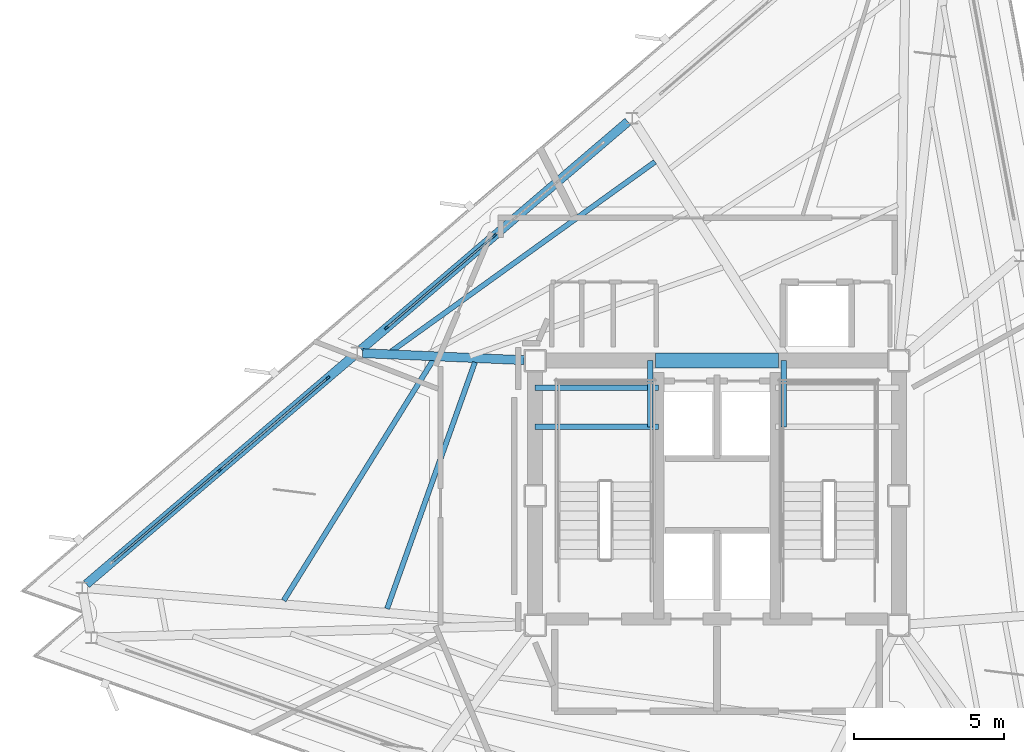
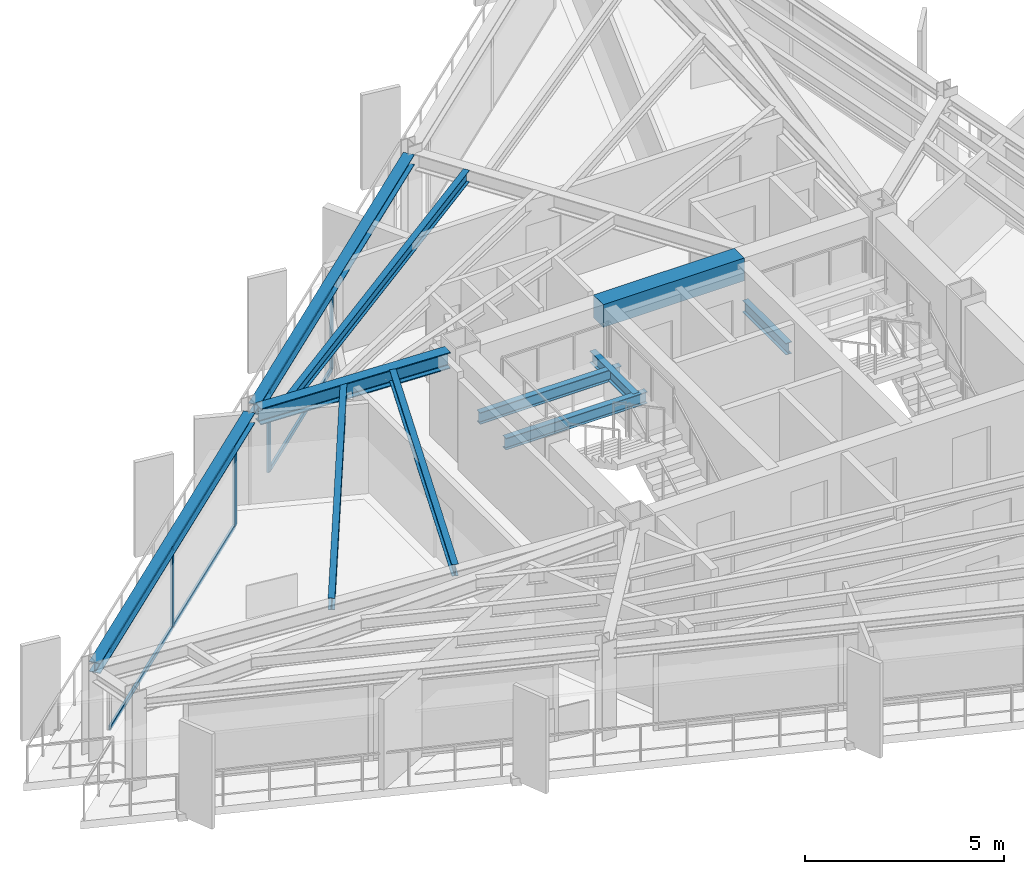
# One storey, part 4 of 14: 11 beams, 10 members, 2 elements without a shape of their own.
"""IFC4 building model written with IfcOpenShell, lengths in metres."""

from ifc_helpers import new_model, si_unit, direction, frame, origin, origin_2d, place, context, subcontext, project, spatial, rectangle, i_section, extrude, material, layer, layer_set, material_profile, profile_set, type_object, element, aggregate, save


model = new_model("IFC4")

# Units and contexts
model_context = context("Model", 3, precision=1e-05, world=origin(), true_north=direction((0.0, 1.0)))
body_context = subcontext(model_context, "Body", "Model", "MODEL_VIEW")
ifc_project = project(units=[si_unit("LENGTHUNIT", "METRE"), si_unit("AREAUNIT", "SQUARE_METRE"), si_unit("VOLUMEUNIT", "CUBIC_METRE"), si_unit("PLANEANGLEUNIT", "RADIAN"), si_unit("MASSUNIT", "GRAM", prefix="KILO")], contexts=[model_context])

# Site, building, storey
site_placement = place(None, origin())
site = spatial("IfcSite", under=ifc_project, at=site_placement, CompositionType="ELEMENT")
building_placement = place(site_placement, origin())
building = spatial("IfcBuilding", under=site, at=building_placement, Name="Rocaltana Carrier Exchange", CompositionType="ELEMENT")
storey_placement = place(building_placement, frame((0.0, 0.0, 181.43994140625)))
storey = spatial("IfcBuildingStorey", under=building, at=storey_placement, Name="L57", CompositionType="ELEMENT", Elevation=181.43994140625)

# Curtain wall, members
ifc_material_1 = material(Name="Aluminium 6063-T6", Category="aluminium")
ifc_layer = layer(ifc_material_1, 0.135009765625)
ifc_layer_set = layer_set([ifc_layer], Name="Aluminium 6063-T6")
curtain_wall_type = type_object("IfcCurtainWallType", Name="Upper-Mid Acoustic Curtain Wall CW-04", PredefinedType="NOTDEFINED", material=ifc_layer_set)
curtain_wall_1_placement = place(storey_placement, origin())
curtain_wall_1 = element("IfcCurtainWall", 1, at=curtain_wall_1_placement, inside=storey, type_object=curtain_wall_type, Name="L57 CW-04 Run CW-L57-F2S2", PredefinedType="NOTDEFINED")
ifc_material_2 = material(Name="Aluminium 6063-T6", Category="aluminium")
ifc_material_profile_1 = material_profile(ifc_material_2, rectangle(XDim=0.06494140625, YDim=0.135009765625, at=origin_2d()), Name="AL-65X135")
ifc_profile_set_1 = profile_set([ifc_material_profile_1], Name="Aluminium 6063-T6")
member_type_1 = type_object("IfcMemberType", Name="CW-04 Mullion AL-65X135", PredefinedType="MULLION", material=ifc_profile_set_1)
member_1_placement = place(storey_placement, frame((-7.39990234375, 8.6640625, 0.0), z_axis=(0.0, 0.0, 1.0), x_axis=(0.649454010067, -0.760400873756, 0.0)))
member_1 = element("IfcMember", 2, at=member_1_placement, type_object=member_type_1, Name="CW-04 mullion 2", PredefinedType="MULLION", context=body_context, shape_type="SweptSolid", body=[
    extrude(rectangle(XDim=0.06494140625, YDim=0.135009765625, at=origin_2d()), origin(), (0.0, 0.0, 1.0), 2.447998046875),
])
member_2_placement = place(storey_placement, frame((-10.999755859375, 5.58935546875, 0.0), z_axis=(0.0, 0.0, 1.0), x_axis=(0.649454010067, -0.760400873756, 0.0)))
member_2 = element("IfcMember", 3, at=member_2_placement, type_object=member_type_1, Name="CW-04 mullion 3", PredefinedType="MULLION", context=body_context, shape_type="SweptSolid", body=[
    extrude(rectangle(XDim=0.06494140625, YDim=0.135009765625, at=origin_2d()), origin(), (0.0, 0.0, 1.0), 2.447998046875),
])

curtain_wall_2_placement = place(storey_placement, origin())
curtain_wall_2 = element("IfcCurtainWall", 4, at=curtain_wall_2_placement, inside=storey, type_object=curtain_wall_type, Name="L57 CW-04 Run CW-L57-F2S3", PredefinedType="NOTDEFINED")
member_3_placement = place(storey_placement, frame((-12.9501953125, 3.923583984375, 0.0), z_axis=(0.0, 0.0, 1.0), x_axis=(0.649447944918, -0.760406053922, 0.0)))
member_3 = element("IfcMember", 5, at=member_3_placement, type_object=member_type_1, Name="CW-04 mullion 1", PredefinedType="MULLION", context=body_context, shape_type="SweptSolid", body=[
    extrude(rectangle(XDim=0.06494140625, YDim=0.135009765625, at=origin_2d()), origin(), (0.0, 0.0, 1.0), 2.447998046875),
])
member_4_placement = place(storey_placement, frame((-16.550048828125, 0.84912109375, 0.0), z_axis=(0.0, 0.0, 1.0), x_axis=(0.649447944918, -0.760406053922, 0.0)))
member_4 = element("IfcMember", 6, at=member_4_placement, type_object=member_type_1, Name="CW-04 mullion 2", PredefinedType="MULLION", context=body_context, shape_type="SweptSolid", body=[
    extrude(rectangle(XDim=0.06494140625, YDim=0.135009765625, at=origin_2d()), origin(), (0.0, 0.0, 1.0), 2.447998046875),
])

# Member
ifc_material_3 = material(Name="Aluminium 6063-T6", Category="aluminium")
ifc_material_profile_2 = material_profile(ifc_material_3, rectangle(XDim=0.06494140625, YDim=0.135009765625, at=origin_2d()), Name="AL-65X135")
ifc_profile_set_2 = profile_set([ifc_material_profile_2], Name="Aluminium 6063-T6")
member_type_2 = type_object("IfcMemberType", Name="CW-04 Transom AL-65X135", PredefinedType="USERDEFINED", material=ifc_profile_set_2)
member_5_placement = place(storey_placement, frame((-7.424560546875, 8.642822265625, 0.032470703125), z_axis=(-0.760407032825, -0.649446798768, 0.0), x_axis=(0.649446798768, -0.760407032825, 0.0)))
member_5 = element("IfcMember", 7, at=member_5_placement, type_object=member_type_2, Name="CW-04 transom 2.1", ObjectType="TRANSOM", PredefinedType="USERDEFINED", context=body_context, shape_type="SweptSolid", body=[
    extrude(rectangle(XDim=0.06494140625, YDim=0.135009765625, at=origin_2d()), origin(), (0.0, 0.0, 1.0), 4.6689453125),
])

member_6_placement = place(storey_placement, frame((-7.424560546875, 8.642822265625, 2.41552734375), z_axis=(-0.760407032825, -0.649446798768, 0.0), x_axis=(0.649446798768, -0.760407032825, 0.0)))
member_6 = element("IfcMember", 8, at=member_6_placement, type_object=member_type_2, Name="CW-04 transom 2.2", ObjectType="TRANSOM", PredefinedType="USERDEFINED", context=body_context, shape_type="SweptSolid", body=[
    extrude(rectangle(XDim=0.06494140625, YDim=0.135009765625, at=origin_2d()), origin(), (0.0, 0.0, 1.0), 4.6689453125),
])

aggregate(curtain_wall_1, [member_1, member_2, member_5, member_6])

member_7_placement = place(storey_placement, frame((-12.974853515625, 3.902587890625, 0.032470703125), z_axis=(-0.760403264899, -0.649451210432, 0.0), x_axis=(0.649451210432, -0.760403264899, 0.0)))
member_7 = element("IfcMember", 9, at=member_7_placement, type_object=member_type_2, Name="CW-04 transom 1.1", ObjectType="TRANSOM", PredefinedType="USERDEFINED", context=body_context, shape_type="SweptSolid", body=[
    extrude(rectangle(XDim=0.06494140625, YDim=0.135009765625, at=origin_2d()), origin(), (0.0, 0.0, 1.0), 4.669189453125),
])

member_8_placement = place(storey_placement, frame((-12.974853515625, 3.902587890625, 2.41552734375), z_axis=(-0.760403264899, -0.649451210432, 0.0), x_axis=(0.649451210432, -0.760403264899, 0.0)))
member_8 = element("IfcMember", 10, at=member_8_placement, type_object=member_type_2, Name="CW-04 transom 1.2", ObjectType="TRANSOM", PredefinedType="USERDEFINED", context=body_context, shape_type="SweptSolid", body=[
    extrude(rectangle(XDim=0.06494140625, YDim=0.135009765625, at=origin_2d()), origin(), (0.0, 0.0, 1.0), 4.669189453125),
])

member_9_placement = place(storey_placement, frame((-16.57470703125, 0.827880859375, 0.032470703125), z_axis=(-0.760403264899, -0.649451210432, 0.0), x_axis=(0.649451210432, -0.760403264899, 0.0)))
member_9 = element("IfcMember", 11, at=member_9_placement, type_object=member_type_2, Name="CW-04 transom 2.1", ObjectType="TRANSOM", PredefinedType="USERDEFINED", context=body_context, shape_type="SweptSolid", body=[
    extrude(rectangle(XDim=0.06494140625, YDim=0.135009765625, at=origin_2d()), origin(), (0.0, 0.0, 1.0), 4.669189453125),
])

member_10_placement = place(storey_placement, frame((-16.57470703125, 0.827880859375, 2.41552734375), z_axis=(-0.760403264899, -0.649451210432, 0.0), x_axis=(0.649451210432, -0.760403264899, 0.0)))
member_10 = element("IfcMember", 12, at=member_10_placement, type_object=member_type_2, Name="CW-04 transom 2.2", ObjectType="TRANSOM", PredefinedType="USERDEFINED", context=body_context, shape_type="SweptSolid", body=[
    extrude(rectangle(XDim=0.06494140625, YDim=0.135009765625, at=origin_2d()), origin(), (0.0, 0.0, 1.0), 4.669189453125),
])

aggregate(curtain_wall_2, [member_3, member_4, member_7, member_8, member_9, member_10])

# Beams
ifc_material_4 = material(Name="Concrete C60/75", Category="concrete")
ifc_material_profile_3 = material_profile(ifc_material_4, rectangle(XDim=0.5, YDim=0.699951171875, at=origin_2d()), Name="RC-BM-500X700")
ifc_profile_set_3 = profile_set([ifc_material_profile_3], Name="Concrete C60/75")
beam_type_1 = type_object("IfcBeamType", Name="Core Coupling Lintel 500x700", PredefinedType="LINTEL", material=ifc_profile_set_3)
beam_1_placement = place(storey_placement, frame((-2.050048828125, 4.5, 2.447998046875), z_axis=(1.0, 0.0, 0.0), x_axis=(0.0, 1.0, 0.0)))
element("IfcBeam", 13, at=beam_1_placement, inside=storey, type_object=beam_type_1, Name="L57 Core Coupling Lintel CL-N", PredefinedType="LINTEL", context=body_context, shape_type="SweptSolid", body=[
    extrude(rectangle(XDim=0.5, YDim=0.699951171875, at=origin_2d()), origin(), (0.0, 0.0, 1.0), 4.10009765625),
])
ifc_material_5 = material(Name="Steel S355", Category="steel")
ifc_material_profile_4 = material_profile(ifc_material_5, i_section(OverallWidth=0.172119140625, OverallDepth=0.35791015625, WebThickness=0.0078125, FlangeThickness=0.01318359375, FilletRadius=0.011962890625, at=origin_2d()), Name="W14X38")
ifc_profile_set_4 = profile_set([ifc_material_profile_4], Name="Steel S355")
beam_type_2 = type_object("IfcBeamType", Name="Floor Joist W14X38", PredefinedType="JOIST", material=ifc_profile_set_4)
for number, where, z_axis, x_axis, name in (
    (14, (-6.050048828125, 2.300048828125, 1.14111328125), (1.0, 0.0, 0.0), (0.0, 1.0, 0.0), "L57 ST-1 Landing Carrier 1"),
    (15, (-6.050048828125, 3.60009765625, 1.14111328125), (1.0, 0.0, 0.0), (0.0, 1.0, 0.0), "L57 ST-1 Landing Carrier 2"),
):
    element("IfcBeam", number, at=place(storey_placement, frame(where, z_axis=z_axis, x_axis=x_axis)), inside=storey, type_object=beam_type_2, Name=name, PredefinedType="JOIST", context=body_context, shape_type="SweptSolid", body=[
        extrude(i_section(OverallWidth=0.172119140625, OverallDepth=0.35791015625, WebThickness=0.0078125, FlangeThickness=0.01318359375, FilletRadius=0.011962890625, at=origin_2d()), origin(), (0.0, 0.0, 1.0), 4.110107421875),
    ])
for number, where, z_axis, x_axis, name in (
    (16, (-2.219970703125, 2.300048828125, 1.14111328125), (0.0, 1.0, 0.0), (-1.0, 0.0, 0.0), "L57 ST-1 Landing Cross Trimmer"),
    (17, (2.219970703125, 2.300048828125, 1.14111328125), (0.0, 1.0, 0.0), (-1.0, 0.0, 0.0), "L57 ST-2 Landing Cross Trimmer"),
):
    element("IfcBeam", number, at=place(storey_placement, frame(where, z_axis=z_axis, x_axis=x_axis)), inside=storey, type_object=beam_type_2, Name=name, PredefinedType="JOIST", context=body_context, shape_type="SweptSolid", body=[
        extrude(i_section(OverallWidth=0.172119140625, OverallDepth=0.35791015625, WebThickness=0.0078125, FlangeThickness=0.01318359375, FilletRadius=0.011962890625, at=origin_2d()), origin(), (0.0, 0.0, 1.0), 2.199951171875),
    ])
beam_2_placement = place(storey_placement, frame((-2.06201171875, 11.115478515625, 2.619140625), z_axis=(-0.811946552353, -0.583731784402, 0.0), x_axis=(0.583731784402, -0.811946552353, 0.0)))
element("IfcBeam", 18, at=beam_2_placement, inside=storey, type_object=beam_type_2, Name="FJ-L57-06-3", PredefinedType="JOIST", context=body_context, shape_type="SweptSolid", body=[
    extrude(i_section(OverallWidth=0.172119140625, OverallDepth=0.35791015625, WebThickness=0.0078125, FlangeThickness=0.01318359375, FilletRadius=0.011962890625, at=origin_2d()), origin(), (0.0, 0.0, 1.0), 10.823974609375),
])
beam_3_placement = place(storey_placement, frame((-8.053466796875, 4.448974609375, 2.619140625), z_axis=(-0.335647261926, -0.941987747034, 0.0), x_axis=(0.941987747034, -0.335647261926, 0.0)))
element("IfcBeam", 19, at=beam_3_placement, inside=storey, type_object=beam_type_2, Name="FJ-L57-07-1", PredefinedType="JOIST", context=body_context, shape_type="SweptSolid", body=[
    extrude(i_section(OverallWidth=0.172119140625, OverallDepth=0.35791015625, WebThickness=0.0078125, FlangeThickness=0.01318359375, FilletRadius=0.011962890625, at=origin_2d()), origin(), (0.0, 0.0, 1.0), 8.708740234375),
])
beam_4_placement = place(storey_placement, frame((-9.44384765625, 4.521240234375, 2.619140625), z_axis=(-0.527698214699, -0.849431924408, 0.0), x_axis=(0.849431924408, -0.527698214699, 0.0)))
element("IfcBeam", 20, at=beam_4_placement, inside=storey, type_object=beam_type_2, Name="FJ-L57-07-2", PredefinedType="JOIST", context=body_context, shape_type="SweptSolid", body=[
    extrude(i_section(OverallWidth=0.172119140625, OverallDepth=0.35791015625, WebThickness=0.0078125, FlangeThickness=0.01318359375, FilletRadius=0.011962890625, at=origin_2d()), origin(), (0.0, 0.0, 1.0), 9.42236328125),
])
ifc_material_6 = material(Name="Steel S355", Category="steel")
ifc_material_profile_5 = material_profile(ifc_material_6, i_section(OverallWidth=0.300048828125, OverallDepth=0.320068359375, WebThickness=0.011474609375, FlangeThickness=0.0205078125, FilletRadius=0.027099609375, at=origin_2d()), Name="HEB320")
ifc_profile_set_5 = profile_set([ifc_material_profile_5], Name="Steel S355")
beam_type_3 = type_object("IfcBeamType", Name="Spandrel Edge Beam HEB320", PredefinedType="SPANDREL", material=ifc_profile_set_5)
beam_5_placement = place(storey_placement, frame((-2.9658203125, 12.451171875, 2.637939453125), z_axis=(-0.76039327773, -0.649462903623, 0.0), x_axis=(0.649462903623, -0.76039327773, 0.0)))
element("IfcBeam", 21, at=beam_5_placement, inside=storey, type_object=beam_type_3, Name="SP-L57-06", PredefinedType="SPANDREL", context=body_context, shape_type="SweptSolid", body=[
    extrude(i_section(OverallWidth=0.300048828125, OverallDepth=0.320068359375, WebThickness=0.011474609375, FlangeThickness=0.0205078125, FilletRadius=0.027099609375, at=origin_2d()), origin(), (0.0, 0.0, 1.0), 11.662353515625),
])
beam_6_placement = place(storey_placement, frame((-12.115966796875, 4.635986328125, 2.637939453125), z_axis=(-0.760403616076, -0.64945079926, 0.0), x_axis=(0.64945079926, -0.760403616076, 0.0)))
element("IfcBeam", 22, at=beam_6_placement, inside=storey, type_object=beam_type_3, Name="SP-L57-07", PredefinedType="SPANDREL", context=body_context, shape_type="SweptSolid", body=[
    extrude(i_section(OverallWidth=0.300048828125, OverallDepth=0.320068359375, WebThickness=0.011474609375, FlangeThickness=0.0205078125, FilletRadius=0.027099609375, at=origin_2d()), origin(), (0.0, 0.0, 1.0), 11.662109375),
])
ifc_material_7 = material(Name="Steel S355", Category="steel")
ifc_material_profile_6 = material_profile(ifc_material_7, i_section(OverallWidth=0.300048828125, OverallDepth=0.5, WebThickness=0.014404296875, FlangeThickness=0.028076171875, FilletRadius=0.027099609375, at=origin_2d()), Name="HEB500")
ifc_profile_set_6 = profile_set([ifc_material_profile_6], Name="Steel S355")
beam_type_4 = type_object("IfcBeamType", Name="Upper Radial Girder HEB500", PredefinedType="BEAM", material=ifc_profile_set_6)
beam_7_placement = place(storey_placement, frame((-6.416748046875, 4.515869140625, 2.548095703125), z_axis=(-0.999063681018, 0.04326385641, 0.0), x_axis=(-0.04326385641, -0.999063681018, 0.0)))
element("IfcBeam", 23, at=beam_7_placement, inside=storey, type_object=beam_type_4, Name="RG-L57-07", PredefinedType="BEAM", context=body_context, shape_type="SweptSolid", body=[
    extrude(i_section(OverallWidth=0.300048828125, OverallDepth=0.5, WebThickness=0.014404296875, FlangeThickness=0.028076171875, FilletRadius=0.027099609375, at=origin_2d()), origin(), (0.0, 0.0, 1.0), 5.3779296875),
])

save(model, "model.ifc")
